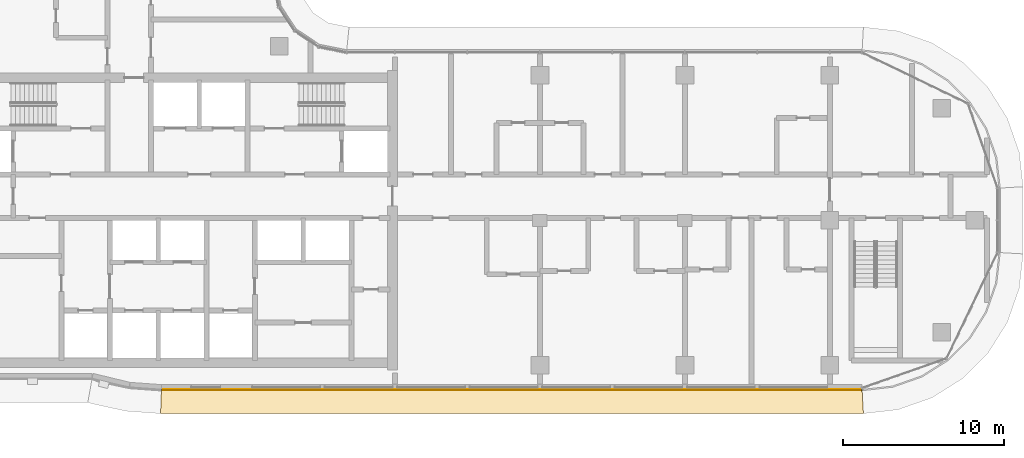
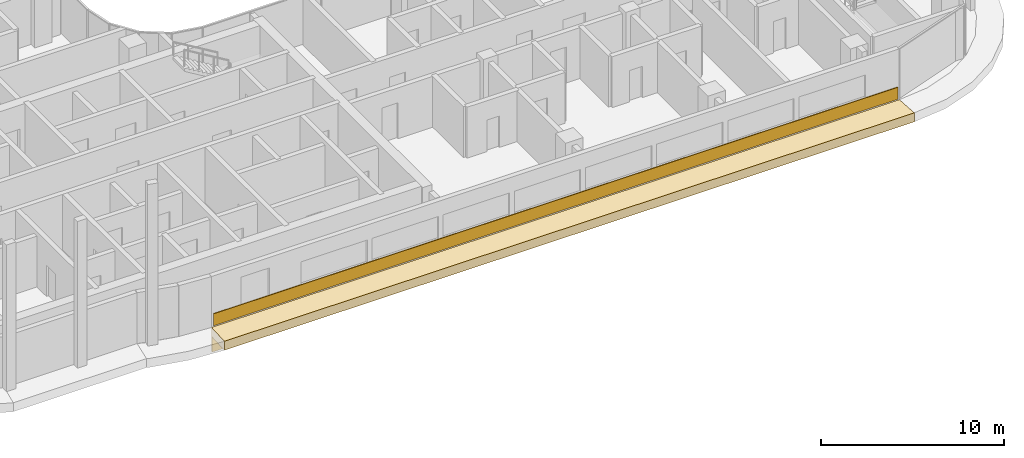
# One storey, part 20 of 24: 3 coverings.
"""IFC4 building model written with IfcOpenShell, lengths in metres."""

from ifc_helpers import new_model, si_unit, direction, frame, origin, origin_2d, place, context, subcontext, project, spatial, polyline, rectangle, outline, extrude, material, layer, layer_set, type_object, element, save


model = new_model("IFC4")

# Units and contexts
model_context = context("Model", 3, precision=1e-05, world=origin(), true_north=direction((0.0, 1.0)))
body_context = subcontext(model_context, "Body", "Model", "MODEL_VIEW")
ifc_project = project(units=[si_unit("LENGTHUNIT", "METRE"), si_unit("AREAUNIT", "SQUARE_METRE"), si_unit("VOLUMEUNIT", "CUBIC_METRE"), si_unit("PLANEANGLEUNIT", "RADIAN"), si_unit("MASSUNIT", "GRAM", prefix="KILO")], contexts=[model_context])

# Site, building, storey
site_placement = place(None, origin())
site = spatial("IfcSite", under=ifc_project, at=site_placement, CompositionType="ELEMENT")
building_placement = place(site_placement, origin())
building = spatial("IfcBuilding", under=site, at=building_placement, Name="Ogive Portal Towers", CompositionType="ELEMENT")
storey_placement = place(building_placement, frame((0.0, 0.0, 142.199951171875)))
storey = spatial("IfcBuildingStorey", under=building, at=storey_placement, Name="L34", CompositionType="ELEMENT", Elevation=142.199951171875)

# Coverings
ifc_material = material(Name="Limestone cladding on lightweight block wall", Category="masonry")
ifc_layer_1 = layer(ifc_material, 0.050048828125)
ifc_layer_set_1 = layer_set([ifc_layer_1], Name="SCREEN PERFORATED STONE")
covering_type_1 = type_object("IfcCoveringType", Name="SCREEN PERFORATED STONE", PredefinedType="CLADDING", material=ifc_layer_set_1)
covering_1_placement = place(storey_placement, frame((65.74853515625, 19.97509765625, 0.10009765625), z_axis=(0.0, 0.0, 1.0), x_axis=(1.0, 0.0, 0.0)))
element("IfcCovering", 1, at=covering_1_placement, inside=storey, type_object=covering_type_1, Name="Tracery screen", PredefinedType="CLADDING", context=body_context, shape_type="SweptSolid", body=[
    extrude(rectangle(XDim=43.275634765625, YDim=0.050048828125, at=origin_2d()), origin(), (0.0, 0.0, 1.0), 0.800048828125),
])
ifc_layer_2 = layer(ifc_material, 0.080078125)
ifc_layer_set_2 = layer_set([ifc_layer_2], Name="STONE SPANDREL 80")
covering_type_2 = type_object("IfcCoveringType", Name="STONE SPANDREL 80", PredefinedType="CLADDING", material=ifc_layer_set_2)
covering_2_placement = place(storey_placement, frame((0.0, 0.0, -1.599853515625)))
element("IfcCovering", 2, at=covering_2_placement, inside=storey, type_object=covering_type_2, Name="Stone spandrel A1-F05", PredefinedType="CLADDING", context=body_context, shape_type="SweptSolid", body=[
    extrude(outline(polyline([(44.0, 20.0), (87.5, 20.0), (87.50439453125, 19.919921875), (43.9970703125, 19.919921875), (44.0, 20.0)])), origin(), (0.0, 0.0, 1.0), 1.0),
])
ifc_layer_3 = layer(ifc_material, 0.60009765625)
ifc_layer_set_3 = layer_set([ifc_layer_3], Name="SUNSHADE LIP 600")
covering_type_3 = type_object("IfcCoveringType", Name="SUNSHADE LIP 600", PredefinedType="CLADDING", material=ifc_layer_set_3)
covering_3_placement = place(storey_placement, frame((0.0, 0.0, -0.599853515625)))
element("IfcCovering", 3, at=covering_3_placement, inside=storey, type_object=covering_type_3, Name="Sunshade lip A1-F05", PredefinedType="CLADDING", context=body_context, shape_type="SweptSolid", body=[
    extrude(outline(polyline([(44.0, 20.0), (87.5, 20.0), (87.584228515625, 18.5), (43.946533203125, 18.5), (44.0, 20.0)])), origin(), (0.0, 0.0, 1.0), 0.599853515625),
])

save(model, "model.ifc")
